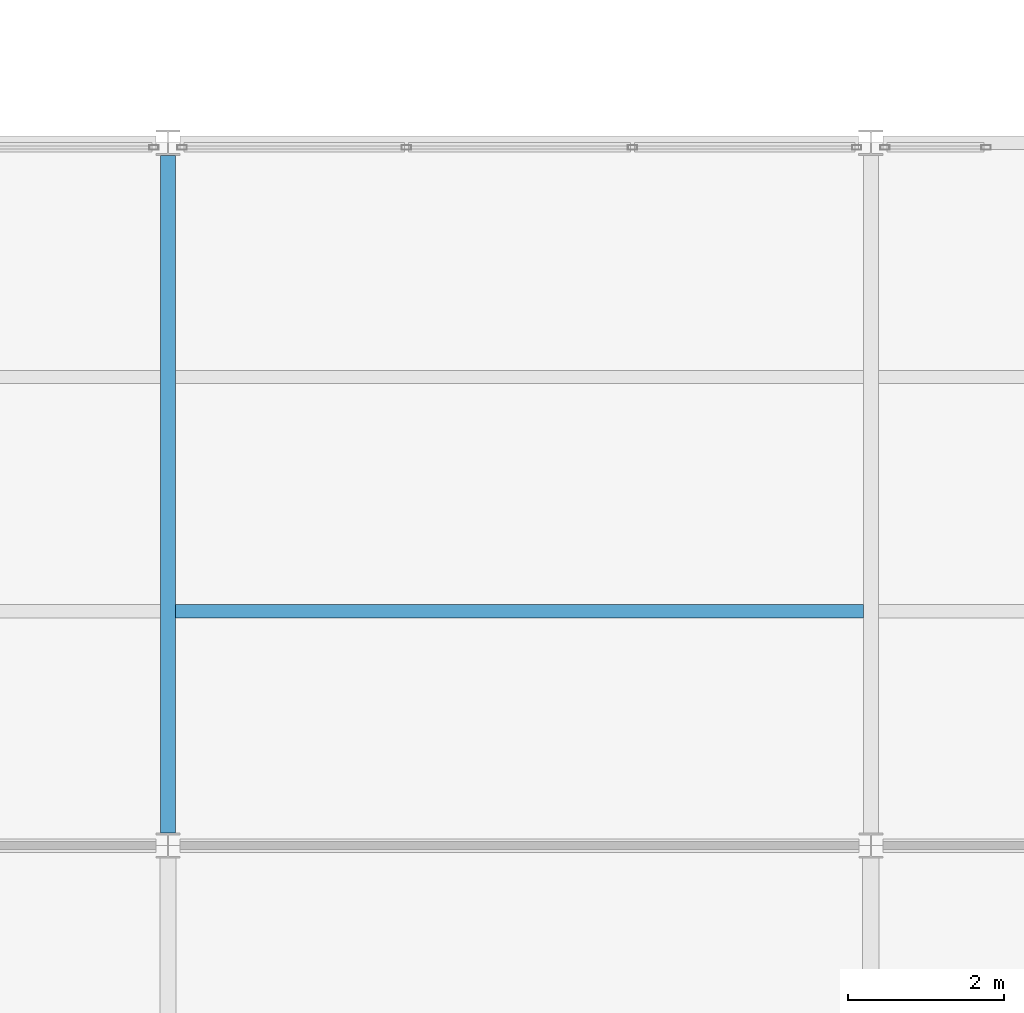
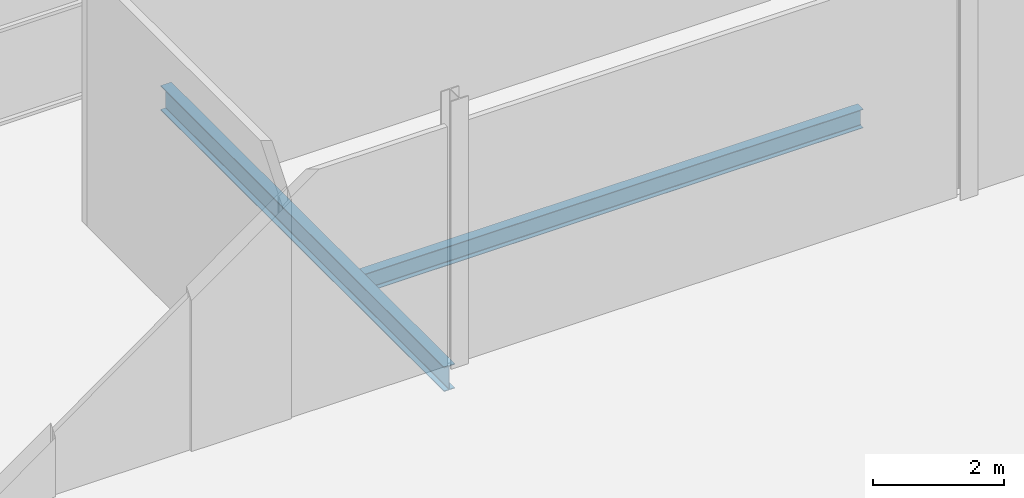
# One storey, part 21 of 112: 2 beams.
"""IFC4 building model written with IfcOpenShell, lengths in metres."""

from ifc_helpers import new_model, si_unit, direction, frame, origin, origin_2d, place, context, subcontext, project, spatial, i_section, extrude, material, material_profile, profile_set, type_object, element, save


model = new_model("IFC4")

# Units and contexts
model_context = context("Model", 3, precision=1e-05, world=origin(), true_north=direction((0.0, 1.0)))
body_context = subcontext(model_context, "Body", "Model", "MODEL_VIEW")
ifc_project = project(units=[si_unit("LENGTHUNIT", "METRE"), si_unit("AREAUNIT", "SQUARE_METRE"), si_unit("VOLUMEUNIT", "CUBIC_METRE"), si_unit("PLANEANGLEUNIT", "RADIAN"), si_unit("MASSUNIT", "GRAM", prefix="KILO")], contexts=[model_context])

# Site, building, storey
site_placement = place(None, origin())
site = spatial("IfcSite", under=ifc_project, at=site_placement, CompositionType="ELEMENT")
building_placement = place(site_placement, origin())
building = spatial("IfcBuilding", under=site, at=building_placement, Name="Shorebreak Coast Museum", CompositionType="ELEMENT")
storey_placement = place(building_placement, frame((0.0, 0.0, 6.0)))
storey = spatial("IfcBuildingStorey", under=building, at=storey_placement, Name="L01", CompositionType="ELEMENT", Elevation=6.0)

# Beams
ifc_material_1 = material(Name="Steel Grade 300", Category="steel")
ifc_material_profile_1 = material_profile(ifc_material_1, i_section(OverallWidth=0.19091796875, OverallDepth=0.46044921875, WebThickness=0.010009765625, FlangeThickness=0.01611328125, FilletRadius=0.011474609375, at=origin_2d()), Name="460UB82.1")
ifc_profile_set_1 = profile_set([ifc_material_profile_1], Name="Steel Grade 300")
beam_type_1 = type_object("IfcBeamType", Name="Floor girder north-south 460UB82.1", PredefinedType="BEAM", material=ifc_profile_set_1)
beam_1_placement = place(storey_placement, frame((72.0, 54.160400390625, -0.4052734375), z_axis=(0.0, 1.0, 0.0), x_axis=(-1.0, 0.0, 0.0)))
element("IfcBeam", 1, at=beam_1_placement, inside=storey, type_object=beam_type_1, Name="Floor girder north-south L01 9G", PredefinedType="BEAM", context=body_context, shape_type="SweptSolid", body=[
    extrude(i_section(OverallWidth=0.19091796875, OverallDepth=0.46044921875, WebThickness=0.010009765625, FlangeThickness=0.01611328125, FilletRadius=0.011474609375, at=origin_2d()), origin(), (0.0, 0.0, 1.0), 8.676025390625),
])
ifc_material_2 = material(Name="Steel Grade 300", Category="steel")
ifc_material_profile_2 = material_profile(ifc_material_2, i_section(OverallWidth=0.1708984375, OverallDepth=0.35205078125, WebThickness=0.0068359375, FlangeThickness=0.009765625, FilletRadius=0.011474609375, at=origin_2d()), Name="360UB44.7")
ifc_profile_set_2 = profile_set([ifc_material_profile_2], Name="Steel Grade 300")
beam_type_2 = type_object("IfcBeamType", Name="Floor joist 360UB44.7", PredefinedType="JOIST", material=ifc_profile_set_2)
beam_2_placement = place(storey_placement, frame((72.095458984375, 57.0, -0.35107421875), z_axis=(1.0, 0.0, 0.0), x_axis=(0.0, 1.0, 0.0)))
element("IfcBeam", 2, at=beam_2_placement, inside=storey, type_object=beam_type_2, Name="Floor joist L01 bay 9G at 3000 mm", PredefinedType="JOIST", context=body_context, shape_type="SweptSolid", body=[
    extrude(i_section(OverallWidth=0.1708984375, OverallDepth=0.35205078125, WebThickness=0.0068359375, FlangeThickness=0.009765625, FilletRadius=0.011474609375, at=origin_2d()), origin(), (0.0, 0.0, 1.0), 8.80908203125),
])

save(model, "model.ifc")
